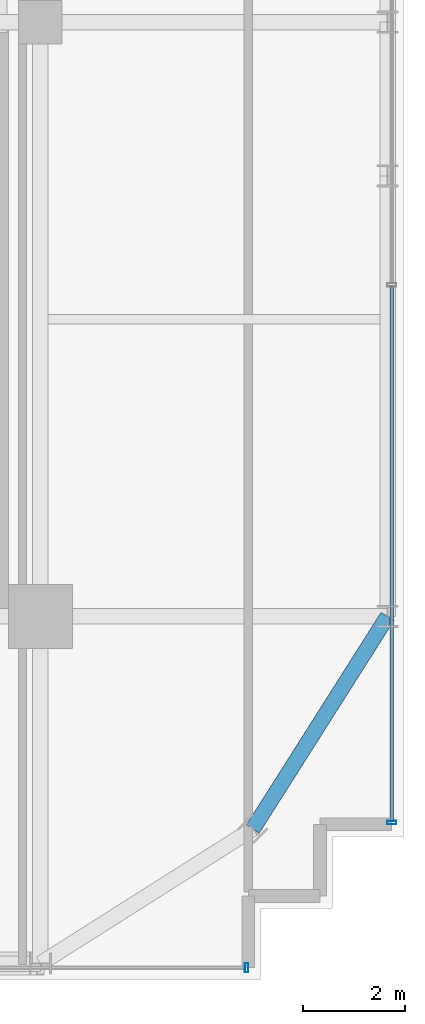
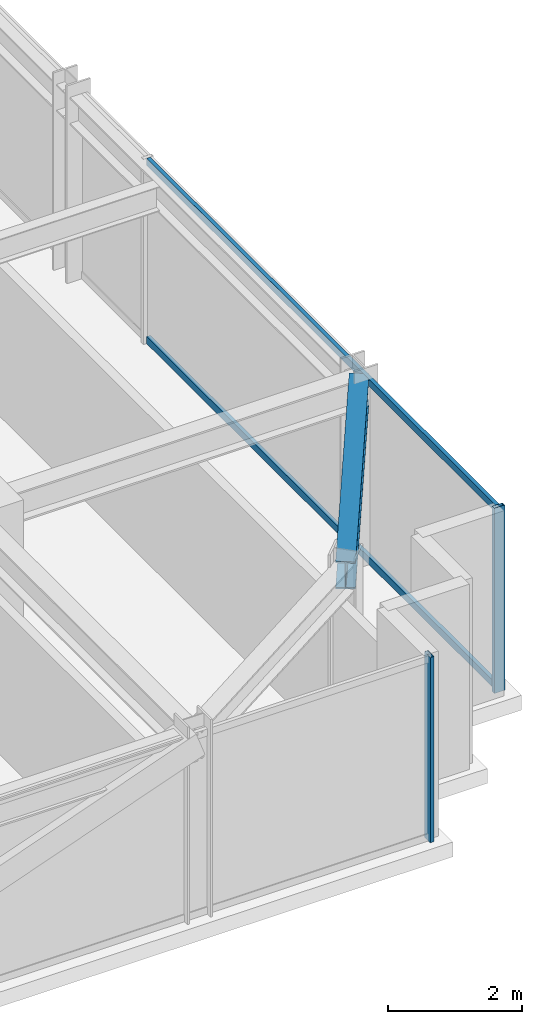
# One storey, part 12 of 35: 4 members, 1 beam, 2 elements without a shape of their own.
"""IFC4 building model written with IfcOpenShell, lengths in metres."""

from ifc_helpers import new_model, si_unit, direction, frame, origin, origin_2d, place, context, subcontext, project, spatial, hollow_rectangle, i_section, extrude, source, transform, mapped, material, material_profile, profile_set, type_object, element, aggregate, save


model = new_model("IFC4")

# Units and contexts
model_context = context("Model", 3, precision=1e-05, world=origin(), true_north=direction((0.0, 1.0)))
body_context = subcontext(model_context, "Body", "Model", "MODEL_VIEW")
ifc_project = project(units=[si_unit("LENGTHUNIT", "METRE"), si_unit("AREAUNIT", "SQUARE_METRE"), si_unit("VOLUMEUNIT", "CUBIC_METRE"), si_unit("PLANEANGLEUNIT", "RADIAN"), si_unit("MASSUNIT", "GRAM", prefix="KILO")], contexts=[model_context])

# Site, building, storey
site_placement = place(None, origin())
site = spatial("IfcSite", under=ifc_project, at=site_placement, CompositionType="ELEMENT")
building_placement = place(site_placement, origin())
building = spatial("IfcBuilding", under=site, at=building_placement, Name="Nahalor Promenade Grand Hotel", CompositionType="ELEMENT")
storey_placement = place(building_placement, frame((0.0, 0.0, 106.550048828125)))
storey = spatial("IfcBuildingStorey", under=building, at=storey_placement, Name="L26", CompositionType="ELEMENT", Elevation=106.550048828125)

# Beam
ifc_material_1 = material(Name="Steel S355JR", Category="steel")
ifc_material_profile_1 = material_profile(ifc_material_1, i_section(OverallWidth=0.3, OverallDepth=0.5, WebThickness=0.0145, FlangeThickness=0.028, at=origin_2d()), Name="HEB 500")
ifc_profile_set_1 = profile_set([ifc_material_profile_1], Name="Steel S355JR")
beam_type = type_object("IfcBeamType", Name="Beam-Spandrel-HEB500", PredefinedType="SPANDREL", material=ifc_profile_set_1)
shared_shape_1 = source(origin(), body_context, "Body", "SweptSolid", [
    extrude(i_section(OverallWidth=0.3, OverallDepth=0.5, WebThickness=0.0145, FlangeThickness=0.028, at=origin_2d()), origin(), (0.0, 0.0, 1.0), 4.9130859375),
])
beam_placement = place(storey_placement, frame((21.14990234375, -21.14990234375, 3.1298828125), z_axis=(0.535321591403, 0.844648325505, 0.0), x_axis=(-0.844648325505, 0.535321591403, 0.0)))
element("IfcBeam", 1, at=beam_placement, inside=storey, type_object=beam_type, Name="BM-L26-SPC-SE-2", PredefinedType="SPANDREL", context=body_context, shape_type="MappedRepresentation", body=[
    mapped(shared_shape_1, transform((0.0, 0.0, 0.0), scale=1.0)),
])

# Curtain wall, member
ifc_material_2 = material(Name="Anodised Bronze Aluminium EN AW-6063 T6", Category="aluminium")
curtain_wall_type = type_object("IfcCurtainWallType", Name="CW2 Typical Hotel Flush Bronze Unitised Curtain Wall", PredefinedType="USERDEFINED", material=ifc_material_2)
curtain_wall_1_placement = place(storey_placement, origin())
curtain_wall_1 = element("IfcCurtainWall", 2, at=curtain_wall_1_placement, inside=storey, type_object=curtain_wall_type, Name="L26 Curtain Wall CW-L26-S-1", ObjectType="UNITISED_CURTAIN_WALL", PredefinedType="USERDEFINED")
ifc_material_profile_2 = material_profile(ifc_material_2, hollow_rectangle(XDim=0.065, YDim=0.18, WallThickness=0.004, at=origin_2d()), Name="CWM 65x180x4")
ifc_profile_set_2 = profile_set([ifc_material_profile_2], Name="Anodised Bronze Aluminium EN AW-6063 T6")
member_type_1 = type_object("IfcMemberType", Name="CWM2 Typical Bronze Mullion 65x180", PredefinedType="MULLION", material=ifc_profile_set_2)
shared_shape_2 = source(origin(), body_context, "Body", "SweptSolid", [
    extrude(hollow_rectangle(XDim=0.065, YDim=0.18, WallThickness=0.004, at=origin_2d()), origin(), (0.0, 0.0, 1.0), 3.3798828125),
])
member_1_placement = place(storey_placement, frame((21.027587890625, -23.860107421875, 0.0), z_axis=(0.0, 0.0, 1.0), x_axis=(1.0, 0.0, 0.0)))
member_1 = element("IfcMember", 3, at=member_1_placement, type_object=member_type_1, Name="CW-L26-S-1 Mullion 4", PredefinedType="MULLION", context=body_context, shape_type="MappedRepresentation", body=[
    mapped(shared_shape_2, transform((0.0, 0.0, 0.0), scale=1.0)),
])
aggregate(curtain_wall_1, [member_1])

# Curtain wall, members
curtain_wall_2_placement = place(storey_placement, origin())
curtain_wall_2 = element("IfcCurtainWall", 4, at=curtain_wall_2_placement, inside=storey, type_object=curtain_wall_type, Name="L26 Curtain Wall CW-L26-E-1", ObjectType="UNITISED_CURTAIN_WALL", PredefinedType="USERDEFINED")
member_2_placement = place(storey_placement, frame((23.860107421875, -21.027587890625, 0.0), z_axis=(0.0, 0.0, 1.0), x_axis=(0.0, 1.0, 0.0)))
member_2 = element("IfcMember", 5, at=member_2_placement, type_object=member_type_1, Name="CW-L26-E-1 Mullion 0", PredefinedType="MULLION", context=body_context, shape_type="MappedRepresentation", body=[
    mapped(shared_shape_2, transform((0.0, 0.0, 0.0), scale=1.0)),
])
ifc_material_profile_3 = material_profile(ifc_material_2, hollow_rectangle(XDim=0.065, YDim=0.13, WallThickness=0.004, at=origin_2d()), Name="CWT 65x130x4")
ifc_profile_set_3 = profile_set([ifc_material_profile_3], Name="Anodised Bronze Aluminium EN AW-6063 T6")
member_type_2 = type_object("IfcMemberType", Name="CWT2 Typical Bronze Transom 65x130", PredefinedType="USERDEFINED", material=ifc_profile_set_3)
shared_shape_3 = source(origin(), body_context, "Body", "SweptSolid", [
    extrude(hollow_rectangle(XDim=0.065, YDim=0.13, WallThickness=0.004, at=origin_2d()), origin(), (0.0, 0.0, 1.0), 10.4326171875),
])
member_3_placement = place(storey_placement, frame((23.860107421875, -20.9951171875, 0.06494140625), z_axis=(0.0, 1.0, 0.0), x_axis=(-1.0, 0.0, 0.0)))
member_3 = element("IfcMember", 6, at=member_3_placement, type_object=member_type_2, Name="CW-L26-E-1 Transom 0-0", ObjectType="TRANSOM", PredefinedType="USERDEFINED", context=body_context, shape_type="MappedRepresentation", body=[
    mapped(shared_shape_3, transform((0.0, 0.0, 0.0), scale=1.0)),
])
member_4_placement = place(storey_placement, frame((23.860107421875, -20.9951171875, 3.31494140625), z_axis=(0.0, 1.0, 0.0), x_axis=(-1.0, 0.0, 0.0)))
member_4 = element("IfcMember", 7, at=member_4_placement, type_object=member_type_2, Name="CW-L26-E-1 Transom 0-1", ObjectType="TRANSOM", PredefinedType="USERDEFINED", context=body_context, shape_type="MappedRepresentation", body=[
    mapped(shared_shape_3, transform((0.0, 0.0, 0.0), scale=1.0)),
])
aggregate(curtain_wall_2, [member_2, member_3, member_4])

save(model, "model.ifc")
